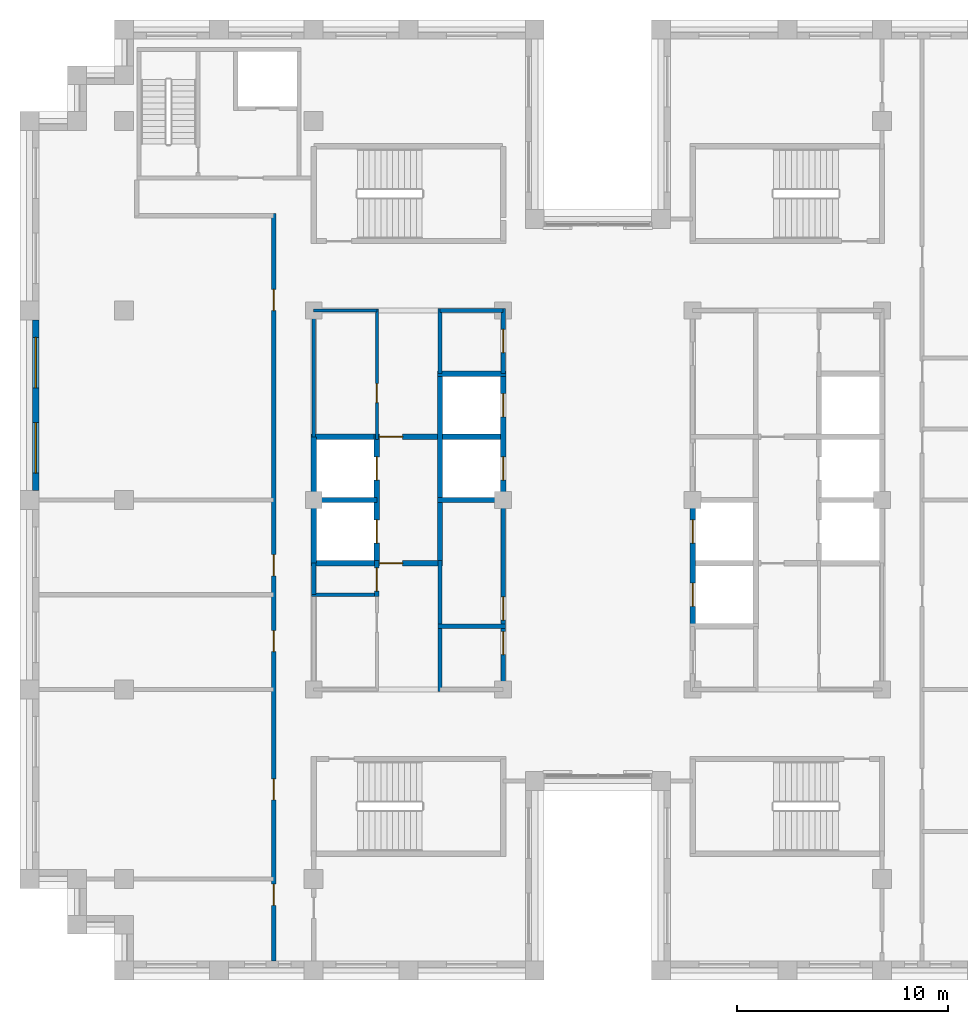
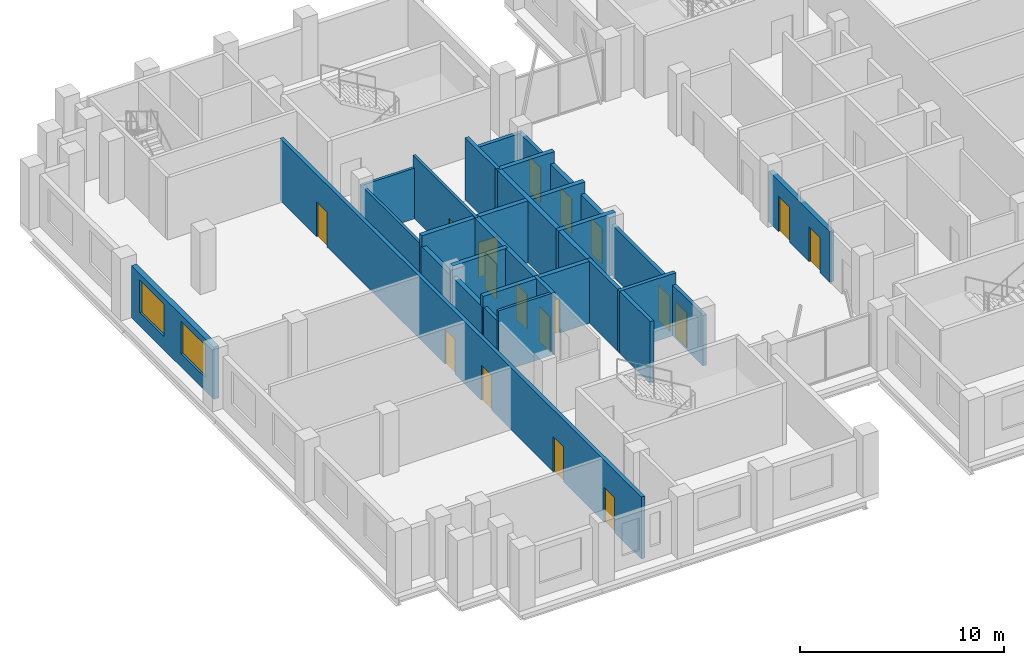
# One storey, part 7 of 13: 24 walls, 18 doors, 2 windows, 20 openings.
"""IFC4 building model written with IfcOpenShell, lengths in metres."""

import ifcopenshell
import ifcopenshell.guid

model = None  # the IFC model being written
_history = None  # IfcOwnerHistory: only IFC2X3 demands one
_inside = {}  # id of a spatial element -> (the spatial element, [elements in it])
_under = {}  # id of a project, library or spatial element -> (it, [spatial elements below it])
_declared = {}  # id of a project -> (the project, [libraries it declares])
_typed = {}  # id of a type object -> (the type object, [elements of that type])
_made_of = {}  # id of a material, layer set ... -> (it, [elements and type objects made of it])


def new_model(schema):
    """Start an empty IFC model of exactly this schema.

    Asked for "IFC4X3", IfcOpenShell would pick the latest addendum, in which some entities
    have other attributes; the version numbers below select the first issue.
    IFC2X3 requires an IfcOwnerHistory on every rooted entity: one is made here for all.
    """
    global model, _history
    if schema == "IFC4X3":
        model = ifcopenshell.file(schema_version=(4, 3, 0, 0))
    else:
        model = ifcopenshell.file(schema=schema)
    _inside.clear()
    _under.clear()
    _declared.clear()
    _typed.clear()
    _made_of.clear()
    _history = None
    if model.schema == "IFC2X3":
        org = make("IfcOrganization", Name="unknown")
        user = make(
            "IfcPersonAndOrganization",
            ThePerson=make("IfcPerson", FamilyName="unknown"),
            TheOrganization=org,
        )
        app = make(
            "IfcApplication",
            ApplicationDeveloper=org,
            Version="unknown",
            ApplicationFullName="unknown",
            ApplicationIdentifier="unknown",
        )
        _history = make(
            "IfcOwnerHistory",
            OwningUser=user,
            OwningApplication=app,
            ChangeAction="ADDED",
            CreationDate=0,
        )
    return model


def make(cls, **values):
    """One entity of the class cls with the attributes given. An attribute that is None is left unset."""
    return model.create_entity(
        cls, **{name: value for name, value in values.items() if value is not None}
    )


def rooted(cls, **values):
    """An entity with a GlobalId (a new one), such as an element, a storey or a relation."""
    return make(cls, GlobalId=ifcopenshell.guid.new(), OwnerHistory=_history, **values)


def si_unit(unit_type, name, prefix=None):
    """IfcSIUnit, for example si_unit("LENGTHUNIT", "METRE", prefix="MILLI")."""
    return make("IfcSIUnit", UnitType=unit_type, Prefix=prefix, Name=name)


def assignment(units):
    """IfcUnitAssignment: the units of a project."""
    return None if units is None else make("IfcUnitAssignment", Units=units)


def point(xyz):
    """IfcCartesianPoint."""
    return None if xyz is None else make("IfcCartesianPoint", Coordinates=xyz)


def direction(xyz):
    """IfcDirection."""
    return None if xyz is None else make("IfcDirection", DirectionRatios=xyz)


def frame(location, z_axis=None, x_axis=None):
    """IfcAxis2Placement3D, a coordinate frame: its origin and axes. An axis left out is left unset."""
    return make(
        "IfcAxis2Placement3D",
        Location=point(location),
        Axis=direction(z_axis),
        RefDirection=direction(x_axis),
    )


def frame_2d(location, x_axis=None):
    """IfcAxis2Placement2D, a coordinate frame in the plane: its origin and x axis."""
    return make(
        "IfcAxis2Placement2D", Location=point(location), RefDirection=direction(x_axis)
    )


def origin():
    """The frame at (0, 0, 0) with its axes left unset."""
    return frame((0.0, 0.0, 0.0))


def place(relative_to, where):
    """IfcLocalPlacement: puts the frame where relative to a parent placement (None: the world)."""
    return make(
        "IfcLocalPlacement", PlacementRelTo=relative_to, RelativePlacement=where
    )


def context(
    kind, dimensions, precision=None, world=None, true_north=None, identifier=None
):
    """IfcGeometricRepresentationContext, for example the 3D "Model" context."""
    return make(
        "IfcGeometricRepresentationContext",
        ContextIdentifier=identifier,
        ContextType=kind,
        CoordinateSpaceDimension=dimensions,
        Precision=precision,
        WorldCoordinateSystem=world,
        TrueNorth=true_north,
    )


def subcontext(parent, identifier, kind, view, scale=None):
    """IfcGeometricRepresentationSubContext, for example "Body" below "Model"."""
    return make(
        "IfcGeometricRepresentationSubContext",
        ContextIdentifier=identifier,
        ContextType=kind,
        ParentContext=parent,
        TargetScale=scale,
        TargetView=view,
    )


def project(units=None, contexts=None):
    """IfcProject with its units and contexts."""
    return rooted(
        "IfcProject",
        Name="project",
        RepresentationContexts=contexts,
        UnitsInContext=assignment(units),
    )


def spatial(cls, under=None, at=None, **own):
    """A site, building, storey or space (cls), placed at a placement, below another one or the project."""
    s = rooted(cls, ObjectPlacement=at, **own)
    if under is not None:
        _under.setdefault(under.id(), (under, []))[1].append(s)
    return s


def profile(cls, at=None, kind="AREA", **sizes):
    """A parametric profile (cls). Its sizes go by their IFC names, for example OverallWidth=200.0."""
    return make(cls, ProfileType=kind, Position=at, **sizes)


def rectangle(**sizes):
    """IfcRectangleProfileDef."""
    return profile("IfcRectangleProfileDef", **sizes)


def extrude(swept, where, along, depth):
    """IfcExtrudedAreaSolid: the profile swept, set in the frame where, extruded along a direction by depth."""
    return make(
        "IfcExtrudedAreaSolid",
        SweptArea=swept,
        Position=where,
        ExtrudedDirection=direction(along),
        Depth=depth,
    )


def shape(context_of_items, identifier, shape_type, items):
    """IfcShapeRepresentation: the items that make up one representation, for example the "Body"."""
    return make(
        "IfcShapeRepresentation",
        ContextOfItems=context_of_items,
        RepresentationIdentifier=identifier,
        RepresentationType=shape_type,
        Items=items,
    )


def material(Name=None, Category=None):
    """IfcMaterial."""
    return make("IfcMaterial", Name=Name, Category=Category)


def layer(
    of_material, thickness, ventilated=None, Name=None, Category=None, Priority=None
):
    """IfcMaterialLayer: one layer of a wall or slab, of a material (None: an air gap)."""
    return make(
        "IfcMaterialLayer",
        Material=of_material,
        LayerThickness=thickness,
        IsVentilated=ventilated,
        Name=Name,
        Category=Category,
        Priority=Priority,
    )


def layer_set(layers, Name=None):
    """IfcMaterialLayerSet."""
    return make("IfcMaterialLayerSet", MaterialLayers=layers, LayerSetName=Name)


def made_of(thing, what):
    """Note that an element or type object is made of a material, layer set ...; save() writes the relation."""
    if what is not None:
        _made_of.setdefault(what.id(), (what, []))[1].append(thing)
    return thing


def type_object(cls, material=None, **own):
    """A type object (cls), such as IfcWallType, which elements share."""
    return made_of(rooted(cls, **own), material)


def element(
    cls,
    number,
    at=None,
    inside=None,
    cuts=None,
    type_object=None,
    material=None,
    context=None,
    identifier="Body",
    shape_type=None,
    held_by="IfcProductDefinitionShape",
    body=None,
    shapes=None,
    **own,
):
    """One element of the class cls, such as IfcWall. Its Tag is "e" and its number.

    at: its placement. inside: the storey or other place that contains it. cuts: it is an
    opening in that element (IfcRelVoidsElement). A single representation is given by context,
    identifier, shape_type and body (its items); several are given by shapes. held_by: the class
    of the entity that holds the representations. save() writes the other relations.
    """
    e = rooted(cls, Tag="e%d" % number, ObjectPlacement=at, **own)
    if body is not None:
        shapes = [shape(context, identifier, shape_type, body)]
    if shapes is not None:
        e.Representation = make(held_by, Representations=shapes)
    if inside is not None:
        _inside.setdefault(inside.id(), (inside, []))[1].append(e)
    if cuts is not None:
        rooted(
            "IfcRelVoidsElement", RelatingBuildingElement=cuts, RelatedOpeningElement=e
        )
    if type_object is not None:
        _typed.setdefault(type_object.id(), (type_object, []))[1].append(e)
    return made_of(e, material)


def fill(opening, filler):
    """IfcRelFillsElement: the door or window that sits in an opening."""
    return rooted(
        "IfcRelFillsElement",
        RelatingOpeningElement=opening,
        RelatedBuildingElement=filler,
    )


def aggregate(whole, parts):
    """IfcRelAggregates: a whole, such as a stair, and the parts it consists of."""
    return rooted("IfcRelAggregates", RelatingObject=whole, RelatedObjects=parts)


def save(model, path):
    """Write the relations noted so far, then the file.

    IfcRelAggregates (storeys below a building ...), IfcRelContainedInSpatialStructure (elements
    in a storey), IfcRelDefinesByType, IfcRelAssociatesMaterial and IfcRelDeclares: one each for
    every whole, place, type object, material and project.
    """
    for whole, parts in _under.values():
        aggregate(whole, parts)
    for where, things in _inside.values():
        rooted(
            "IfcRelContainedInSpatialStructure",
            RelatedElements=things,
            RelatingStructure=where,
        )
    for kind, things in _typed.values():
        rooted("IfcRelDefinesByType", RelatedObjects=things, RelatingType=kind)
    for what, things in _made_of.values():
        rooted("IfcRelAssociatesMaterial", RelatedObjects=things, RelatingMaterial=what)
    for by, libraries in _declared.values():
        rooted("IfcRelDeclares", RelatingContext=by, RelatedDefinitions=libraries)
    model.write(path)


model = new_model("IFC4")

# Units and contexts
model_context = context("Model", 3, precision=1e-05, world=origin(), true_north=direction((0.0, 1.0)))
body_context = subcontext(model_context, "Body", "Model", "MODEL_VIEW")
ifc_project = project(units=[si_unit("LENGTHUNIT", "METRE"), si_unit("AREAUNIT", "SQUARE_METRE"), si_unit("VOLUMEUNIT", "CUBIC_METRE"), si_unit("PLANEANGLEUNIT", "RADIAN"), si_unit("MASSUNIT", "GRAM", prefix="KILO")], contexts=[model_context])

# Site, building, storey
site_placement = place(None, origin())
site = spatial("IfcSite", under=ifc_project, at=site_placement, CompositionType="ELEMENT")
building_placement = place(site_placement, origin())
building = spatial("IfcBuilding", under=site, at=building_placement, Name="Corbelhall Arena Tower", CompositionType="ELEMENT")
storey_placement = place(building_placement, frame((0.0, 0.0, 286.0)))
storey = spatial("IfcBuildingStorey", under=building, at=storey_placement, Name="L62", CompositionType="ELEMENT", Elevation=286.0)

# Wall, openings, windows
ifc_material_1 = material(Name="Precast concrete C40/50 with granite facing", Category="masonry")
ifc_layer_1 = layer(ifc_material_1, 0.300048828125)
ifc_layer_set_1 = layer_set([ifc_layer_1], Name="EV-IW1 Infill panel 300")
wall_type_1 = type_object("IfcWallType", Name="EV-IW1 Infill panel 300", PredefinedType="SOLIDWALL", material=ifc_layer_set_1)
wall_1_placement = place(storey_placement, frame((-26.699951171875, 8.550048828125, 0.0), z_axis=(0.0, 0.0, 1.0), x_axis=(0.0, -1.0, 0.0)))
wall_1 = element("IfcWall", 1, at=wall_1_placement, inside=storey, type_object=wall_type_1, Name="Infill panel IW1", PredefinedType="SOLIDWALL", context=body_context, shape_type="SweptSolid", body=[
    extrude(rectangle(XDim=8.10009765625, YDim=0.300048828125, at=frame_2d((4.050048828125, 0.0))), origin(), (0.0, 0.0, 1.0), 3.1201171875),
])
opening_1_placement = place(wall_1_placement, frame((0.824951171875, 0.0, 0.800048828125)))
opening_1 = element("IfcOpeningElement", 2, at=opening_1_placement, cuts=wall_1, Name="Opening WN1", PredefinedType="OPENING", context=body_context, shape_type="SweptSolid", body=[
    extrude(rectangle(XDim=2.39990234375, YDim=1.949951171875, at=frame_2d((1.199951171875, 0.97509765625))), frame((0.0, 0.14990234375, 0.0), z_axis=(0.0, -1.0, 0.0), x_axis=(1.0, 0.0, 0.0)), (0.0, 0.0, 1.0), 0.300048828125),
])
opening_2_placement = place(wall_1_placement, frame((4.875, 0.0, 0.800048828125)))
opening_2 = element("IfcOpeningElement", 3, at=opening_2_placement, cuts=wall_1, Name="Opening WN1", PredefinedType="OPENING", context=body_context, shape_type="SweptSolid", body=[
    extrude(rectangle(XDim=2.39990234375, YDim=1.949951171875, at=frame_2d((1.199951171875, 0.97509765625))), frame((0.0, 0.14990234375, 0.0), z_axis=(0.0, -1.0, 0.0), x_axis=(1.0, 0.0, 0.0)), (0.0, 0.0, 1.0), 0.300048828125),
])
ifc_material_2 = material(Name="Aluminium black anodised", Category="aluminium")
window_type = type_object("IfcWindowType", Name="EV-WN1 Office window", PartitioningType="SINGLE_PANEL", PredefinedType="WINDOW", material=ifc_material_2)
window_1_placement = place(opening_1_placement, origin())
window_1 = element("IfcWindow", 4, at=window_1_placement, inside=storey, type_object=window_type, Name="Window WN1", OverallHeight=1.949951171875, OverallWidth=2.39990234375, PartitioningType="SINGLE_PANEL", PredefinedType="WINDOW", context=body_context, shape_type="SweptSolid", body=[
    extrude(rectangle(XDim=2.39990234375, YDim=1.949951171875, at=frame_2d((1.199951171875, 0.97509765625))), frame((0.0, 0.030029296875, 0.0), z_axis=(0.0, -1.0, 0.0), x_axis=(1.0, 0.0, 0.0)), (0.0, 0.0, 1.0), 0.06005859375),
])
fill(opening_1, window_1)
window_2_placement = place(opening_2_placement, origin())
window_2 = element("IfcWindow", 5, at=window_2_placement, inside=storey, type_object=window_type, Name="Window WN1", OverallHeight=1.949951171875, OverallWidth=2.39990234375, PartitioningType="SINGLE_PANEL", PredefinedType="WINDOW", context=body_context, shape_type="SweptSolid", body=[
    extrude(rectangle(XDim=2.39990234375, YDim=1.949951171875, at=frame_2d((1.199951171875, 0.97509765625))), frame((0.0, 0.030029296875, 0.0), z_axis=(0.0, -1.0, 0.0), x_axis=(1.0, 0.0, 0.0)), (0.0, 0.0, 1.0), 0.06005859375),
])
fill(opening_2, window_2)

# Wall, openings, doors
ifc_material_3 = material(Name="Gypsum board on steel stud, acoustic", Category="steel")
ifc_layer_2 = layer(ifc_material_3, 0.199951171875)
ifc_layer_set_2 = layer_set([ifc_layer_2], Name="IN-W-DM200")
wall_type_2 = type_object("IfcWallType", Name="IN-W-DM200", PredefinedType="PARTITIONING", material=ifc_layer_set_2)
wall_2_placement = place(storey_placement, frame((-15.39990234375, -21.89990234375, 0.0), z_axis=(0.0, 0.0, 1.0), x_axis=(0.0, 1.0, 0.0)))
wall_2 = element("IfcWall", 6, at=wall_2_placement, inside=storey, type_object=wall_type_2, Name="Partition 005", PredefinedType="PARTITIONING", context=body_context, shape_type="SweptSolid", body=[
    extrude(rectangle(XDim=35.5, YDim=0.199951171875, at=frame_2d((17.75, 0.0))), origin(), (0.0, 0.0, 1.0), 3.719970703125),
])
opening_3_placement = place(wall_2_placement, frame((30.89990234375, 0.0, 0.0)))
opening_3 = element("IfcOpeningElement", 7, at=opening_3_placement, cuts=wall_2, Name="Opening 20023", PredefinedType="OPENING", context=body_context, shape_type="SweptSolid", body=[
    extrude(rectangle(XDim=1.0, YDim=2.10009765625, at=frame_2d((0.5, 1.050048828125))), frame((0.0, 0.10009765625, 0.0), z_axis=(0.0, -1.0, 0.0), x_axis=(1.0, 0.0, 0.0)), (0.0, 0.0, 1.0), 0.199951171875),
])
opening_4_placement = place(wall_2_placement, frame((2.64990234375, 0.0, 0.0)))
opening_4 = element("IfcOpeningElement", 8, at=opening_4_placement, cuts=wall_2, Name="Opening 20024", PredefinedType="OPENING", context=body_context, shape_type="SweptSolid", body=[
    extrude(rectangle(XDim=1.0, YDim=2.10009765625, at=frame_2d((0.5, 1.050048828125))), frame((0.0, 0.10009765625, 0.0), z_axis=(0.0, -1.0, 0.0), x_axis=(1.0, 0.0, 0.0)), (0.0, 0.0, 1.0), 0.199951171875),
])
opening_5_placement = place(wall_2_placement, frame((7.64990234375, 0.0, 0.0)))
opening_5 = element("IfcOpeningElement", 9, at=opening_5_placement, cuts=wall_2, Name="Opening 20025", PredefinedType="OPENING", context=body_context, shape_type="SweptSolid", body=[
    extrude(rectangle(XDim=1.0, YDim=2.10009765625, at=frame_2d((0.5, 1.050048828125))), frame((0.0, 0.10009765625, 0.0), z_axis=(0.0, -1.0, 0.0), x_axis=(1.0, 0.0, 0.0)), (0.0, 0.0, 1.0), 0.199951171875),
])
opening_6_placement = place(wall_2_placement, frame((14.699951171875, 0.0, 0.0)))
opening_6 = element("IfcOpeningElement", 10, at=opening_6_placement, cuts=wall_2, Name="Opening 20026", PredefinedType="OPENING", context=body_context, shape_type="SweptSolid", body=[
    extrude(rectangle(XDim=1.0, YDim=2.10009765625, at=frame_2d((0.5, 1.050048828125))), frame((0.0, 0.10009765625, 0.0), z_axis=(0.0, -1.0, 0.0), x_axis=(1.0, 0.0, 0.0)), (0.0, 0.0, 1.0), 0.199951171875),
])
opening_7_placement = place(wall_2_placement, frame((18.300048828125, 0.0, 0.0)))
opening_7 = element("IfcOpeningElement", 11, at=opening_7_placement, cuts=wall_2, Name="Opening 20027", PredefinedType="OPENING", context=body_context, shape_type="SweptSolid", body=[
    extrude(rectangle(XDim=1.0, YDim=2.10009765625, at=frame_2d((0.5, 1.050048828125))), frame((0.0, 0.10009765625, 0.0), z_axis=(0.0, -1.0, 0.0), x_axis=(1.0, 0.0, 0.0)), (0.0, 0.0, 1.0), 0.199951171875),
])
ifc_material_4 = material(Name="Steel door set", Category="steel")
door_type_1 = type_object("IfcDoorType", Name="IN-D-SW100", OperationType="NOTDEFINED", PredefinedType="DOOR", material=ifc_material_4)
door_1_placement = place(opening_3_placement, origin())
door_1 = element("IfcDoor", 12, at=door_1_placement, inside=storey, type_object=door_type_1, Name="Door 023", OperationType="SINGLE_SWING_RIGHT", OverallHeight=2.10009765625, OverallWidth=1.0, PredefinedType="DOOR", context=body_context, shape_type="SweptSolid", body=[
    extrude(rectangle(XDim=1.0, YDim=2.10009765625, at=frame_2d((0.5, 1.050048828125))), frame((0.0, 0.02490234375, 0.0), z_axis=(0.0, -1.0, 0.0), x_axis=(1.0, 0.0, 0.0)), (0.0, 0.0, 1.0), 0.050048828125),
])
fill(opening_3, door_1)
door_2_placement = place(opening_4_placement, origin())
door_2 = element("IfcDoor", 13, at=door_2_placement, inside=storey, type_object=door_type_1, Name="Door 024", OperationType="SINGLE_SWING_LEFT", OverallHeight=2.10009765625, OverallWidth=1.0, PredefinedType="DOOR", context=body_context, shape_type="SweptSolid", body=[
    extrude(rectangle(XDim=1.0, YDim=2.10009765625, at=frame_2d((0.5, 1.050048828125))), frame((0.0, 0.02490234375, 0.0), z_axis=(0.0, -1.0, 0.0), x_axis=(1.0, 0.0, 0.0)), (0.0, 0.0, 1.0), 0.050048828125),
])
fill(opening_4, door_2)
door_3_placement = place(opening_5_placement, origin())
door_3 = element("IfcDoor", 14, at=door_3_placement, inside=storey, type_object=door_type_1, Name="Door 025", OperationType="SINGLE_SWING_RIGHT", OverallHeight=2.10009765625, OverallWidth=1.0, PredefinedType="DOOR", context=body_context, shape_type="SweptSolid", body=[
    extrude(rectangle(XDim=1.0, YDim=2.10009765625, at=frame_2d((0.5, 1.050048828125))), frame((0.0, 0.02490234375, 0.0), z_axis=(0.0, -1.0, 0.0), x_axis=(1.0, 0.0, 0.0)), (0.0, 0.0, 1.0), 0.050048828125),
])
fill(opening_5, door_3)
door_4_placement = place(opening_6_placement, origin())
door_4 = element("IfcDoor", 15, at=door_4_placement, inside=storey, type_object=door_type_1, Name="Door 026", OperationType="SINGLE_SWING_LEFT", OverallHeight=2.10009765625, OverallWidth=1.0, PredefinedType="DOOR", context=body_context, shape_type="SweptSolid", body=[
    extrude(rectangle(XDim=1.0, YDim=2.10009765625, at=frame_2d((0.5, 1.050048828125))), frame((0.0, 0.02490234375, 0.0), z_axis=(0.0, -1.0, 0.0), x_axis=(1.0, 0.0, 0.0)), (0.0, 0.0, 1.0), 0.050048828125),
])
fill(opening_6, door_4)
door_5_placement = place(opening_7_placement, origin())
door_5 = element("IfcDoor", 16, at=door_5_placement, inside=storey, type_object=door_type_1, Name="Door 027", OperationType="SINGLE_SWING_RIGHT", OverallHeight=2.10009765625, OverallWidth=1.0, PredefinedType="DOOR", context=body_context, shape_type="SweptSolid", body=[
    extrude(rectangle(XDim=1.0, YDim=2.10009765625, at=frame_2d((0.5, 1.050048828125))), frame((0.0, 0.02490234375, 0.0), z_axis=(0.0, -1.0, 0.0), x_axis=(1.0, 0.0, 0.0)), (0.0, 0.0, 1.0), 0.050048828125),
])
fill(opening_7, door_5)

# Wall, opening, door
ifc_material_5 = material(Name="Concrete block wall", Category="concrete")
ifc_layer_3 = layer(ifc_material_5, 0.199951171875)
ifc_layer_set_3 = layer_set([ifc_layer_3], Name="IN-W-RS200")
wall_type_3 = type_object("IfcWallType", Name="IN-W-RS200", PredefinedType="SOLIDWALL", material=ifc_layer_set_3)
wall_3_placement = place(storey_placement, frame((-10.5, -4.574951171875, 0.0), z_axis=(0.0, 0.0, 1.0), x_axis=(0.0, 1.0, 0.0)))
wall_3 = element("IfcWall", 17, at=wall_3_placement, inside=storey, type_object=wall_type_3, Name="Partition 022", PredefinedType="SOLIDWALL", context=body_context, shape_type="SweptSolid", body=[
    extrude(rectangle(XDim=1.699951171875, YDim=0.199951171875, at=frame_2d((0.85009765625, 0.0))), origin(), (0.0, 0.0, 1.0), 3.719970703125),
])
opening_8_placement = place(wall_3_placement, frame((0.25, 0.0, 0.0)))
opening_8 = element("IfcOpeningElement", 18, at=opening_8_placement, cuts=wall_3, Name="Opening 20007", PredefinedType="OPENING", context=body_context, shape_type="SweptSolid", body=[
    extrude(rectangle(XDim=1.10009765625, YDim=2.10009765625, at=frame_2d((0.550048828125, 1.050048828125))), frame((0.0, 0.10009765625, 0.0), z_axis=(0.0, -1.0, 0.0), x_axis=(1.0, 0.0, 0.0)), (0.0, 0.0, 1.0), 0.199951171875),
])
door_type_2 = type_object("IfcDoorType", Name="IN-D-FD110", OperationType="NOTDEFINED", PredefinedType="DOOR", material=ifc_material_4)
door_6_placement = place(opening_8_placement, origin())
door_6 = element("IfcDoor", 19, at=door_6_placement, inside=storey, type_object=door_type_2, Name="Door 007", OperationType="SINGLE_SWING_RIGHT", OverallHeight=2.10009765625, OverallWidth=1.10009765625, PredefinedType="DOOR", context=body_context, shape_type="SweptSolid", body=[
    extrude(rectangle(XDim=1.10009765625, YDim=2.10009765625, at=frame_2d((0.550048828125, 1.050048828125))), frame((0.0, 0.02490234375, 0.0), z_axis=(0.0, -1.0, 0.0), x_axis=(1.0, 0.0, 0.0)), (0.0, 0.0, 1.0), 0.050048828125),
])
fill(opening_8, door_6)

# Walls
wall_4_placement = place(storey_placement, frame((-7.60009765625, -6.0, 0.0), z_axis=(0.0, 0.0, 1.0), x_axis=(1.0, 0.0, 0.0)))
element("IfcWall", 20, at=wall_4_placement, inside=storey, type_object=wall_type_3, Name="Partition 023", PredefinedType="SOLIDWALL", context=body_context, shape_type="SweptSolid", body=[
    extrude(rectangle(XDim=3.2001953125, YDim=0.199951171875, at=frame_2d((1.60009765625, 0.0))), origin(), (0.0, 0.0, 1.0), 3.719970703125),
])
wall_5_placement = place(storey_placement, frame((-7.5, -9.10009765625, 0.0), z_axis=(0.0, 0.0, 1.0), x_axis=(0.0, 1.0, 0.0)))
element("IfcWall", 21, at=wall_5_placement, inside=storey, type_object=wall_type_3, Name="Partition 024", PredefinedType="SOLIDWALL", context=body_context, shape_type="SweptSolid", body=[
    extrude(rectangle(XDim=6.22509765625, YDim=0.199951171875, at=frame_2d((3.112548828125, 0.0))), origin(), (0.0, 0.0, 1.0), 3.719970703125),
])
wall_6_placement = place(storey_placement, frame((-7.5, 6.0, 0.0), z_axis=(0.0, 0.0, 1.0), x_axis=(0.0, 1.0, 0.0)))
element("IfcWall", 22, at=wall_6_placement, inside=storey, type_object=wall_type_3, Name="Partition 025", PredefinedType="SOLIDWALL", context=body_context, shape_type="SweptSolid", body=[
    extrude(rectangle(XDim=3.10009765625, YDim=0.199951171875, at=frame_2d((1.550048828125, 0.0))), origin(), (0.0, 0.0, 1.0), 3.719970703125),
])
ifc_layer_4 = layer(ifc_material_5, 0.199951171875)
ifc_layer_set_4 = layer_set([ifc_layer_4], Name="IN-W-RS200 under beam 678 mm")
wall_type_4 = type_object("IfcWallType", Name="IN-W-RS200 under beam 678 mm", PredefinedType="SOLIDWALL", material=ifc_layer_set_4)
wall_7_placement = place(storey_placement, frame((-13.5, -4.5, 0.0), z_axis=(0.0, 0.0, 1.0), x_axis=(0.0, 1.0, 0.0)))
element("IfcWall", 23, at=wall_7_placement, inside=storey, type_object=wall_type_4, Name="Partition 021", PredefinedType="SOLIDWALL", context=body_context, shape_type="SweptSolid", body=[
    extrude(rectangle(XDim=1.5, YDim=0.199951171875, at=frame_2d((0.75, 0.0))), origin(), (0.0, 0.0, 1.0), 3.041748046875),
])
wall_8_placement = place(storey_placement, frame((-7.5, 9.0, 0.0), z_axis=(0.0, 0.0, 1.0), x_axis=(1.0, 0.0, 0.0)))
element("IfcWall", 24, at=wall_8_placement, inside=storey, type_object=wall_type_4, Name="Partition 026", PredefinedType="SOLIDWALL", context=body_context, shape_type="SweptSolid", body=[
    extrude(rectangle(XDim=3.0, YDim=0.199951171875, at=frame_2d((1.5, 0.0))), origin(), (0.0, 0.0, 1.0), 3.041748046875),
])

# Wall, openings, doors
wall_9_placement = place(storey_placement, frame((-4.5, 0.0, 0.0), z_axis=(0.0, 0.0, 1.0), x_axis=(0.0, -1.0, 0.0)))
wall_9 = element("IfcWall", 25, at=wall_9_placement, inside=storey, type_object=wall_type_4, Name="Partition 028", PredefinedType="SOLIDWALL", context=body_context, shape_type="SweptSolid", body=[
    extrude(rectangle(XDim=9.10009765625, YDim=0.199951171875, at=frame_2d((4.550048828125, 0.0))), origin(), (0.0, 0.0, 1.0), 3.041748046875),
])
opening_9_placement = place(wall_9_placement, frame((6.25, 0.0, 0.0)))
opening_9 = element("IfcOpeningElement", 26, at=opening_9_placement, cuts=wall_9, Name="Opening 20001", PredefinedType="OPENING", context=body_context, shape_type="SweptSolid", body=[
    extrude(rectangle(XDim=1.10009765625, YDim=2.10009765625, at=frame_2d((0.550048828125, 1.050048828125))), frame((0.0, 0.10009765625, 0.0), z_axis=(0.0, -1.0, 0.0), x_axis=(1.0, 0.0, 0.0)), (0.0, 0.0, 1.0), 0.199951171875),
])
opening_10_placement = place(wall_9_placement, frame((4.60009765625, 0.0, 0.0)))
opening_10 = element("IfcOpeningElement", 27, at=opening_10_placement, cuts=wall_9, Name="Opening 20002", PredefinedType="OPENING", context=body_context, shape_type="SweptSolid", body=[
    extrude(rectangle(XDim=1.10009765625, YDim=2.10009765625, at=frame_2d((0.550048828125, 1.050048828125))), frame((0.0, 0.10009765625, 0.0), z_axis=(0.0, -1.0, 0.0), x_axis=(1.0, 0.0, 0.0)), (0.0, 0.0, 1.0), 0.199951171875),
])
door_7_placement = place(opening_9_placement, origin())
door_7 = element("IfcDoor", 28, at=door_7_placement, inside=storey, type_object=door_type_2, Name="Door 001", OperationType="SINGLE_SWING_RIGHT", OverallHeight=2.10009765625, OverallWidth=1.10009765625, PredefinedType="DOOR", context=body_context, shape_type="SweptSolid", body=[
    extrude(rectangle(XDim=1.10009765625, YDim=2.10009765625, at=frame_2d((0.550048828125, 1.050048828125))), frame((0.0, 0.02490234375, 0.0), z_axis=(0.0, -1.0, 0.0), x_axis=(1.0, 0.0, 0.0)), (0.0, 0.0, 1.0), 0.050048828125),
])
fill(opening_9, door_7)
door_8_placement = place(opening_10_placement, origin())
door_8 = element("IfcDoor", 29, at=door_8_placement, inside=storey, type_object=door_type_2, Name="Door 002", OperationType="SINGLE_SWING_LEFT", OverallHeight=2.10009765625, OverallWidth=1.10009765625, PredefinedType="DOOR", context=body_context, shape_type="SweptSolid", body=[
    extrude(rectangle(XDim=1.10009765625, YDim=2.10009765625, at=frame_2d((0.550048828125, 1.050048828125))), frame((0.0, 0.02490234375, 0.0), z_axis=(0.0, -1.0, 0.0), x_axis=(1.0, 0.0, 0.0)), (0.0, 0.0, 1.0), 0.050048828125),
])
fill(opening_10, door_8)

# Wall, opening, door
wall_10_placement = place(storey_placement, frame((-4.5, 9.10009765625, 0.0), z_axis=(0.0, 0.0, 1.0), x_axis=(0.0, -1.0, 0.0)))
wall_10 = element("IfcWall", 30, at=wall_10_placement, inside=storey, type_object=wall_type_4, Name="Partition 029", PredefinedType="SOLIDWALL", context=body_context, shape_type="SweptSolid", body=[
    extrude(rectangle(XDim=3.10009765625, YDim=0.199951171875, at=frame_2d((1.550048828125, 0.0))), origin(), (0.0, 0.0, 1.0), 3.041748046875),
])
opening_11_placement = place(wall_10_placement, frame((1.0, 0.0, 0.0)))
opening_11 = element("IfcOpeningElement", 31, at=opening_11_placement, cuts=wall_10, Name="Opening 20003", PredefinedType="OPENING", context=body_context, shape_type="SweptSolid", body=[
    extrude(rectangle(XDim=1.10009765625, YDim=2.10009765625, at=frame_2d((0.550048828125, 1.050048828125))), frame((0.0, 0.10009765625, 0.0), z_axis=(0.0, -1.0, 0.0), x_axis=(1.0, 0.0, 0.0)), (0.0, 0.0, 1.0), 0.199951171875),
])
door_9_placement = place(opening_11_placement, origin())
door_9 = element("IfcDoor", 32, at=door_9_placement, inside=storey, type_object=door_type_2, Name="Door 003", OperationType="SINGLE_SWING_RIGHT", OverallHeight=2.10009765625, OverallWidth=1.10009765625, PredefinedType="DOOR", context=body_context, shape_type="SweptSolid", body=[
    extrude(rectangle(XDim=1.10009765625, YDim=2.10009765625, at=frame_2d((0.550048828125, 1.050048828125))), frame((0.0, 0.02490234375, 0.0), z_axis=(0.0, -1.0, 0.0), x_axis=(1.0, 0.0, 0.0)), (0.0, 0.0, 1.0), 0.050048828125),
])
fill(opening_11, door_9)

# Wall
ifc_material_6 = material(Name="Concrete C40/50", Category="concrete")
ifc_layer_5 = layer(ifc_material_6, 0.25)
ifc_layer_set_5 = layer_set([ifc_layer_5], Name="IN-W-SH250")
wall_type_5 = type_object("IfcWallType", Name="IN-W-SH250", PredefinedType="SOLIDWALL", material=ifc_layer_set_5)
wall_11_placement = place(storey_placement, frame((-13.625, 0.0, 0.0), z_axis=(0.0, 0.0, 1.0), x_axis=(1.0, 0.0, 0.0)))
element("IfcWall", 33, at=wall_11_placement, inside=storey, type_object=wall_type_5, Name="Shaft wall 040", PredefinedType="SOLIDWALL", context=body_context, shape_type="SweptSolid", body=[
    extrude(rectangle(XDim=3.125, YDim=0.25, at=frame_2d((1.5625, 0.0))), origin(), (0.0, 0.0, 1.0), 3.719970703125),
])

# Wall, opening, door
wall_12_placement = place(storey_placement, frame((-13.625, 3.0, 0.0), z_axis=(0.0, 0.0, 1.0), x_axis=(1.0, 0.0, 0.0)))
wall_12 = element("IfcWall", 34, at=wall_12_placement, inside=storey, type_object=wall_type_5, Name="Shaft wall 041", PredefinedType="SOLIDWALL", context=body_context, shape_type="SweptSolid", body=[
    extrude(rectangle(XDim=9.25, YDim=0.25, at=frame_2d((4.625, 0.0))), origin(), (0.0, 0.0, 1.0), 3.719970703125),
])
opening_12_placement = place(wall_12_placement, frame((3.25, 0.0, 0.0)))
opening_12 = element("IfcOpeningElement", 35, at=opening_12_placement, cuts=wall_12, Name="Opening 20005", PredefinedType="OPENING", context=body_context, shape_type="SweptSolid", body=[
    extrude(rectangle(XDim=1.10009765625, YDim=2.10009765625, at=frame_2d((0.550048828125, 1.050048828125))), frame((0.0, 0.125, 0.0), z_axis=(0.0, -1.0, 0.0), x_axis=(1.0, 0.0, 0.0)), (0.0, 0.0, 1.0), 0.25),
])
door_10_placement = place(opening_12_placement, origin())
door_10 = element("IfcDoor", 36, at=door_10_placement, inside=storey, type_object=door_type_2, Name="Door 005", OperationType="SINGLE_SWING_RIGHT", OverallHeight=2.10009765625, OverallWidth=1.10009765625, PredefinedType="DOOR", context=body_context, shape_type="SweptSolid", body=[
    extrude(rectangle(XDim=1.10009765625, YDim=2.10009765625, at=frame_2d((0.550048828125, 1.050048828125))), frame((0.0, 0.02490234375, 0.0), z_axis=(0.0, -1.0, 0.0), x_axis=(1.0, 0.0, 0.0)), (0.0, 0.0, 1.0), 0.050048828125),
])
fill(opening_12, door_10)

wall_13_placement = place(storey_placement, frame((-13.625, -3.0, 0.0), z_axis=(0.0, 0.0, 1.0), x_axis=(1.0, 0.0, 0.0)))
wall_13 = element("IfcWall", 37, at=wall_13_placement, inside=storey, type_object=wall_type_5, Name="Shaft wall 043", PredefinedType="SOLIDWALL", context=body_context, shape_type="SweptSolid", body=[
    extrude(rectangle(XDim=6.125, YDim=0.25, at=frame_2d((3.0625, 0.0))), origin(), (0.0, 0.0, 1.0), 3.719970703125),
])
opening_13_placement = place(wall_13_placement, frame((3.25, 0.0, 0.0)))
opening_13 = element("IfcOpeningElement", 38, at=opening_13_placement, cuts=wall_13, Name="Opening 20004", PredefinedType="OPENING", context=body_context, shape_type="SweptSolid", body=[
    extrude(rectangle(XDim=1.10009765625, YDim=2.10009765625, at=frame_2d((0.550048828125, 1.050048828125))), frame((0.0, 0.125, 0.0), z_axis=(0.0, -1.0, 0.0), x_axis=(1.0, 0.0, 0.0)), (0.0, 0.0, 1.0), 0.25),
])
door_11_placement = place(opening_13_placement, origin())
door_11 = element("IfcDoor", 39, at=door_11_placement, inside=storey, type_object=door_type_2, Name="Door 004", OperationType="SINGLE_SWING_LEFT", OverallHeight=2.10009765625, OverallWidth=1.10009765625, PredefinedType="DOOR", context=body_context, shape_type="SweptSolid", body=[
    extrude(rectangle(XDim=1.10009765625, YDim=2.10009765625, at=frame_2d((0.550048828125, 1.050048828125))), frame((0.0, 0.02490234375, 0.0), z_axis=(0.0, -1.0, 0.0), x_axis=(1.0, 0.0, 0.0)), (0.0, 0.0, 1.0), 0.050048828125),
])
fill(opening_13, door_11)

# Wall, openings, doors
wall_14_placement = place(storey_placement, frame((-10.5, -3.125, 0.0), z_axis=(0.0, 0.0, 1.0), x_axis=(0.0, 1.0, 0.0)))
wall_14 = element("IfcWall", 40, at=wall_14_placement, inside=storey, type_object=wall_type_5, Name="Shaft wall 044", PredefinedType="SOLIDWALL", context=body_context, shape_type="SweptSolid", body=[
    extrude(rectangle(XDim=6.25, YDim=0.25, at=frame_2d((3.125, 0.0))), origin(), (0.0, 0.0, 1.0), 3.719970703125),
])
opening_14_placement = place(wall_14_placement, frame((1.074951171875, 0.0, 0.0)))
opening_14 = element("IfcOpeningElement", 41, at=opening_14_placement, cuts=wall_14, Name="Opening LD", PredefinedType="OPENING", context=body_context, shape_type="SweptSolid", body=[
    extrude(rectangle(XDim=1.10009765625, YDim=2.10009765625, at=frame_2d((0.550048828125, 1.050048828125))), frame((0.0, 0.125, 0.0), z_axis=(0.0, -1.0, 0.0), x_axis=(1.0, 0.0, 0.0)), (0.0, 0.0, 1.0), 0.25),
])
opening_15_placement = place(wall_14_placement, frame((4.074951171875, 0.0, 0.0)))
opening_15 = element("IfcOpeningElement", 42, at=opening_15_placement, cuts=wall_14, Name="Opening LD", PredefinedType="OPENING", context=body_context, shape_type="SweptSolid", body=[
    extrude(rectangle(XDim=1.10009765625, YDim=2.10009765625, at=frame_2d((0.550048828125, 1.050048828125))), frame((0.0, 0.125, 0.0), z_axis=(0.0, -1.0, 0.0), x_axis=(1.0, 0.0, 0.0)), (0.0, 0.0, 1.0), 0.25),
])
door_type_3 = type_object("IfcDoorType", Name="IN-D-LD110", OperationType="NOTDEFINED", PredefinedType="DOOR", material=ifc_material_4)
door_12_placement = place(opening_14_placement, origin())
door_12 = element("IfcDoor", 43, at=door_12_placement, inside=storey, type_object=door_type_3, Name="Landing door W3", OperationType="SLIDING_TO_LEFT", OverallHeight=2.10009765625, OverallWidth=1.10009765625, PredefinedType="DOOR", context=body_context, shape_type="SweptSolid", body=[
    extrude(rectangle(XDim=1.10009765625, YDim=2.10009765625, at=frame_2d((0.550048828125, 1.050048828125))), frame((0.0, 0.02490234375, 0.0), z_axis=(0.0, -1.0, 0.0), x_axis=(1.0, 0.0, 0.0)), (0.0, 0.0, 1.0), 0.050048828125),
])
fill(opening_14, door_12)
door_13_placement = place(opening_15_placement, origin())
door_13 = element("IfcDoor", 44, at=door_13_placement, inside=storey, type_object=door_type_3, Name="Landing door W4", OperationType="SLIDING_TO_LEFT", OverallHeight=2.10009765625, OverallWidth=1.10009765625, PredefinedType="DOOR", context=body_context, shape_type="SweptSolid", body=[
    extrude(rectangle(XDim=1.10009765625, YDim=2.10009765625, at=frame_2d((0.550048828125, 1.050048828125))), frame((0.0, 0.02490234375, 0.0), z_axis=(0.0, -1.0, 0.0), x_axis=(1.0, 0.0, 0.0)), (0.0, 0.0, 1.0), 0.050048828125),
])
fill(opening_15, door_13)

# Walls
for number, where, z_axis, x_axis, name in (
    (45, (-7.625, 0.0, 0.0), (0.0, 0.0, 1.0), (1.0, 0.0, 0.0), "Shaft wall 045"),
    (46, (-7.625, 6.0, 0.0), (0.0, 0.0, 1.0), (1.0, 0.0, 0.0), "Shaft wall 046"),
):
    element("IfcWall", number, at=place(storey_placement, frame(where, z_axis=z_axis, x_axis=x_axis)), inside=storey, type_object=wall_type_5, Name=name, PredefinedType="SOLIDWALL", context=body_context, shape_type="SweptSolid", body=[
        extrude(rectangle(XDim=3.25, YDim=0.25, at=frame_2d((1.625, 0.0))), origin(), (0.0, 0.0, 1.0), 3.719970703125),
    ])
wall_15_placement = place(storey_placement, frame((-7.5, -3.125, 0.0), z_axis=(0.0, 0.0, 1.0), x_axis=(0.0, 1.0, 0.0)))
element("IfcWall", 47, at=wall_15_placement, inside=storey, type_object=wall_type_5, Name="Shaft wall 047", PredefinedType="SOLIDWALL", context=body_context, shape_type="SweptSolid", body=[
    extrude(rectangle(XDim=9.125, YDim=0.25, at=frame_2d((4.5625, 0.0))), origin(), (0.0, 0.0, 1.0), 3.719970703125),
])
ifc_layer_6 = layer(ifc_material_6, 0.25)
ifc_layer_set_6 = layer_set([ifc_layer_6], Name="IN-W-SH250 under beam 678 mm")
wall_type_6 = type_object("IfcWallType", Name="IN-W-SH250 under beam 678 mm", PredefinedType="SOLIDWALL", material=ifc_layer_set_6)
wall_16_placement = place(storey_placement, frame((-13.5, -3.0, 0.0), z_axis=(0.0, 0.0, 1.0), x_axis=(0.0, 1.0, 0.0)))
element("IfcWall", 48, at=wall_16_placement, inside=storey, type_object=wall_type_6, Name="Shaft wall 042", PredefinedType="SOLIDWALL", context=body_context, shape_type="SweptSolid", body=[
    extrude(rectangle(XDim=6.0, YDim=0.25, at=frame_2d((3.0, 0.0))), origin(), (0.0, 0.0, 1.0), 3.041748046875),
])

# Wall, openings, doors
wall_17_placement = place(storey_placement, frame((-4.5, 6.0, 0.0), z_axis=(0.0, 0.0, 1.0), x_axis=(0.0, -1.0, 0.0)))
wall_17 = element("IfcWall", 49, at=wall_17_placement, inside=storey, type_object=wall_type_6, Name="Shaft wall 048", PredefinedType="SOLIDWALL", context=body_context, shape_type="SweptSolid", body=[
    extrude(rectangle(XDim=6.0, YDim=0.25, at=frame_2d((3.0, 0.0))), origin(), (0.0, 0.0, 1.0), 3.041748046875),
])
opening_16_placement = place(wall_17_placement, frame((3.949951171875, 0.0, 0.0)))
opening_16 = element("IfcOpeningElement", 50, at=opening_16_placement, cuts=wall_17, Name="Opening LD", PredefinedType="OPENING", context=body_context, shape_type="SweptSolid", body=[
    extrude(rectangle(XDim=1.10009765625, YDim=2.10009765625, at=frame_2d((0.550048828125, 1.050048828125))), frame((0.0, 0.125, 0.0), z_axis=(0.0, -1.0, 0.0), x_axis=(1.0, 0.0, 0.0)), (0.0, 0.0, 1.0), 0.25),
])
opening_17_placement = place(wall_17_placement, frame((0.949951171875, 0.0, 0.0)))
opening_17 = element("IfcOpeningElement", 51, at=opening_17_placement, cuts=wall_17, Name="Opening LD", PredefinedType="OPENING", context=body_context, shape_type="SweptSolid", body=[
    extrude(rectangle(XDim=1.10009765625, YDim=2.10009765625, at=frame_2d((0.550048828125, 1.050048828125))), frame((0.0, 0.125, 0.0), z_axis=(0.0, -1.0, 0.0), x_axis=(1.0, 0.0, 0.0)), (0.0, 0.0, 1.0), 0.25),
])
door_14_placement = place(opening_16_placement, origin())
door_14 = element("IfcDoor", 52, at=door_14_placement, inside=storey, type_object=door_type_3, Name="Landing door W4", OperationType="SLIDING_TO_LEFT", OverallHeight=2.10009765625, OverallWidth=1.10009765625, PredefinedType="DOOR", context=body_context, shape_type="SweptSolid", body=[
    extrude(rectangle(XDim=1.10009765625, YDim=2.10009765625, at=frame_2d((0.550048828125, 1.050048828125))), frame((0.0, 0.02490234375, 0.0), z_axis=(0.0, -1.0, 0.0), x_axis=(1.0, 0.0, 0.0)), (0.0, 0.0, 1.0), 0.050048828125),
])
fill(opening_16, door_14)
door_15_placement = place(opening_17_placement, origin())
door_15 = element("IfcDoor", 53, at=door_15_placement, inside=storey, type_object=door_type_3, Name="Landing door W5", OperationType="SLIDING_TO_LEFT", OverallHeight=2.10009765625, OverallWidth=1.10009765625, PredefinedType="DOOR", context=body_context, shape_type="SweptSolid", body=[
    extrude(rectangle(XDim=1.10009765625, YDim=2.10009765625, at=frame_2d((0.550048828125, 1.050048828125))), frame((0.0, 0.02490234375, 0.0), z_axis=(0.0, -1.0, 0.0), x_axis=(1.0, 0.0, 0.0)), (0.0, 0.0, 1.0), 0.050048828125),
])
fill(opening_17, door_15)

wall_18_placement = place(storey_placement, frame((4.5, -6.0, 0.0), z_axis=(0.0, 0.0, 1.0), x_axis=(0.0, 1.0, 0.0)))
wall_18 = element("IfcWall", 54, at=wall_18_placement, inside=storey, type_object=wall_type_6, Name="Shaft wall 052", PredefinedType="SOLIDWALL", context=body_context, shape_type="SweptSolid", body=[
    extrude(rectangle(XDim=6.0, YDim=0.25, at=frame_2d((3.0, 0.0))), origin(), (0.0, 0.0, 1.0), 3.041748046875),
])
opening_18_placement = place(wall_18_placement, frame((0.949951171875, 0.0, 0.0)))
opening_18 = element("IfcOpeningElement", 55, at=opening_18_placement, cuts=wall_18, Name="Opening LD", PredefinedType="OPENING", context=body_context, shape_type="SweptSolid", body=[
    extrude(rectangle(XDim=1.10009765625, YDim=2.10009765625, at=frame_2d((0.550048828125, 1.050048828125))), frame((0.0, 0.125, 0.0), z_axis=(0.0, -1.0, 0.0), x_axis=(1.0, 0.0, 0.0)), (0.0, 0.0, 1.0), 0.25),
])
opening_19_placement = place(wall_18_placement, frame((3.949951171875, 0.0, 0.0)))
opening_19 = element("IfcOpeningElement", 56, at=opening_19_placement, cuts=wall_18, Name="Opening LD", PredefinedType="OPENING", context=body_context, shape_type="SweptSolid", body=[
    extrude(rectangle(XDim=1.10009765625, YDim=2.10009765625, at=frame_2d((0.550048828125, 1.050048828125))), frame((0.0, 0.125, 0.0), z_axis=(0.0, -1.0, 0.0), x_axis=(1.0, 0.0, 0.0)), (0.0, 0.0, 1.0), 0.25),
])
door_16_placement = place(opening_18_placement, origin())
door_16 = element("IfcDoor", 57, at=door_16_placement, inside=storey, type_object=door_type_3, Name="Landing door E2", OperationType="SLIDING_TO_LEFT", OverallHeight=2.10009765625, OverallWidth=1.10009765625, PredefinedType="DOOR", context=body_context, shape_type="SweptSolid", body=[
    extrude(rectangle(XDim=1.10009765625, YDim=2.10009765625, at=frame_2d((0.550048828125, 1.050048828125))), frame((0.0, 0.02490234375, 0.0), z_axis=(0.0, -1.0, 0.0), x_axis=(1.0, 0.0, 0.0)), (0.0, 0.0, 1.0), 0.050048828125),
])
fill(opening_18, door_16)
door_17_placement = place(opening_19_placement, origin())
door_17 = element("IfcDoor", 58, at=door_17_placement, inside=storey, type_object=door_type_3, Name="Landing door E3", OperationType="SLIDING_TO_LEFT", OverallHeight=2.10009765625, OverallWidth=1.10009765625, PredefinedType="DOOR", context=body_context, shape_type="SweptSolid", body=[
    extrude(rectangle(XDim=1.10009765625, YDim=2.10009765625, at=frame_2d((0.550048828125, 1.050048828125))), frame((0.0, 0.02490234375, 0.0), z_axis=(0.0, -1.0, 0.0), x_axis=(1.0, 0.0, 0.0)), (0.0, 0.0, 1.0), 0.050048828125),
])
fill(opening_19, door_17)

# Wall
ifc_material_7 = material(Name="Gypsum board on steel stud, moisture resistant", Category="steel")
ifc_layer_7 = layer(ifc_material_7, 0.14990234375)
ifc_layer_set_7 = layer_set([ifc_layer_7], Name="IN-W-WC150")
wall_type_7 = type_object("IfcWallType", Name="IN-W-WC150", PredefinedType="PARTITIONING", material=ifc_layer_set_7)
wall_19_placement = place(storey_placement, frame((-13.60009765625, -4.5, 0.0), z_axis=(0.0, 0.0, 1.0), x_axis=(1.0, 0.0, 0.0)))
element("IfcWall", 59, at=wall_19_placement, inside=storey, type_object=wall_type_7, Name="Partition 076", PredefinedType="PARTITIONING", context=body_context, shape_type="SweptSolid", body=[
    extrude(rectangle(XDim=3.10009765625, YDim=0.14990234375, at=frame_2d((1.550048828125, 0.0))), origin(), (0.0, 0.0, 1.0), 3.719970703125),
])

# Wall, opening, door
wall_20_placement = place(storey_placement, frame((-10.5, 2.875, 0.0), z_axis=(0.0, 0.0, 1.0), x_axis=(0.0, 1.0, 0.0)))
wall_20 = element("IfcWall", 60, at=wall_20_placement, inside=storey, type_object=wall_type_7, Name="Partition 082", PredefinedType="PARTITIONING", context=body_context, shape_type="SweptSolid", body=[
    extrude(rectangle(XDim=6.199951171875, YDim=0.14990234375, at=frame_2d((3.10009765625, 0.0))), origin(), (0.0, 0.0, 1.0), 3.719970703125),
])
opening_20_placement = place(wall_20_placement, frame((1.75, 0.0, 0.0)))
opening_20 = element("IfcOpeningElement", 61, at=opening_20_placement, cuts=wall_20, Name="Opening 20008", PredefinedType="OPENING", context=body_context, shape_type="SweptSolid", body=[
    extrude(rectangle(XDim=0.89990234375, YDim=2.10009765625, at=frame_2d((0.449951171875, 1.050048828125))), frame((0.0, 0.074951171875, 0.0), z_axis=(0.0, -1.0, 0.0), x_axis=(1.0, 0.0, 0.0)), (0.0, 0.0, 1.0), 0.14990234375),
])
ifc_material_8 = material(Name="Timber door set", Category="wood")
door_type_4 = type_object("IfcDoorType", Name="IN-D-SW90", OperationType="NOTDEFINED", PredefinedType="DOOR", material=ifc_material_8)
door_18_placement = place(opening_20_placement, origin())
door_18 = element("IfcDoor", 62, at=door_18_placement, inside=storey, type_object=door_type_4, Name="Door 008", OperationType="SINGLE_SWING_LEFT", OverallHeight=2.10009765625, OverallWidth=0.89990234375, PredefinedType="DOOR", context=body_context, shape_type="SweptSolid", body=[
    extrude(rectangle(XDim=0.89990234375, YDim=2.10009765625, at=frame_2d((0.449951171875, 1.050048828125))), frame((0.0, 0.02490234375, 0.0), z_axis=(0.0, -1.0, 0.0), x_axis=(1.0, 0.0, 0.0)), (0.0, 0.0, 1.0), 0.050048828125),
])
fill(opening_20, door_18)

# Walls
ifc_layer_8 = layer(ifc_material_7, 0.14990234375)
ifc_layer_set_8 = layer_set([ifc_layer_8], Name="IN-W-WC150 under beam 678 mm")
wall_type_8 = type_object("IfcWallType", Name="IN-W-WC150 under beam 678 mm", PredefinedType="PARTITIONING", material=ifc_layer_set_8)
wall_21_placement = place(storey_placement, frame((-13.5, 3.0, 0.0), z_axis=(0.0, 0.0, 1.0), x_axis=(0.0, 1.0, 0.0)))
element("IfcWall", 63, at=wall_21_placement, inside=storey, type_object=wall_type_8, Name="Partition 078", PredefinedType="PARTITIONING", context=body_context, shape_type="SweptSolid", body=[
    extrude(rectangle(XDim=6.074951171875, YDim=0.14990234375, at=frame_2d((3.03759765625, 0.0))), origin(), (0.0, 0.0, 1.0), 3.041748046875),
])
wall_22_placement = place(storey_placement, frame((-13.5, 9.0, 0.0), z_axis=(0.0, 0.0, 1.0), x_axis=(1.0, 0.0, 0.0)))
element("IfcWall", 64, at=wall_22_placement, inside=storey, type_object=wall_type_8, Name="Partition 079", PredefinedType="PARTITIONING", context=body_context, shape_type="SweptSolid", body=[
    extrude(rectangle(XDim=3.0, YDim=0.14990234375, at=frame_2d((1.5, 0.0))), origin(), (0.0, 0.0, 1.0), 3.041748046875),
])

save(model, "model.ifc")
